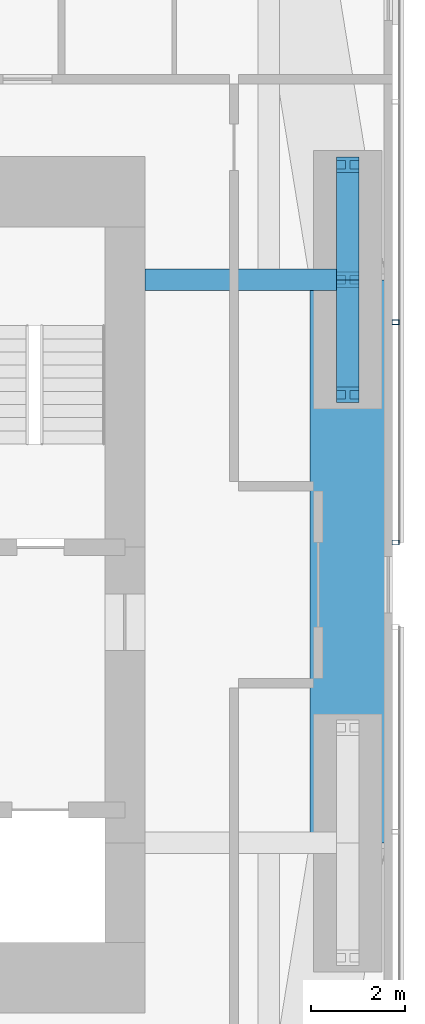
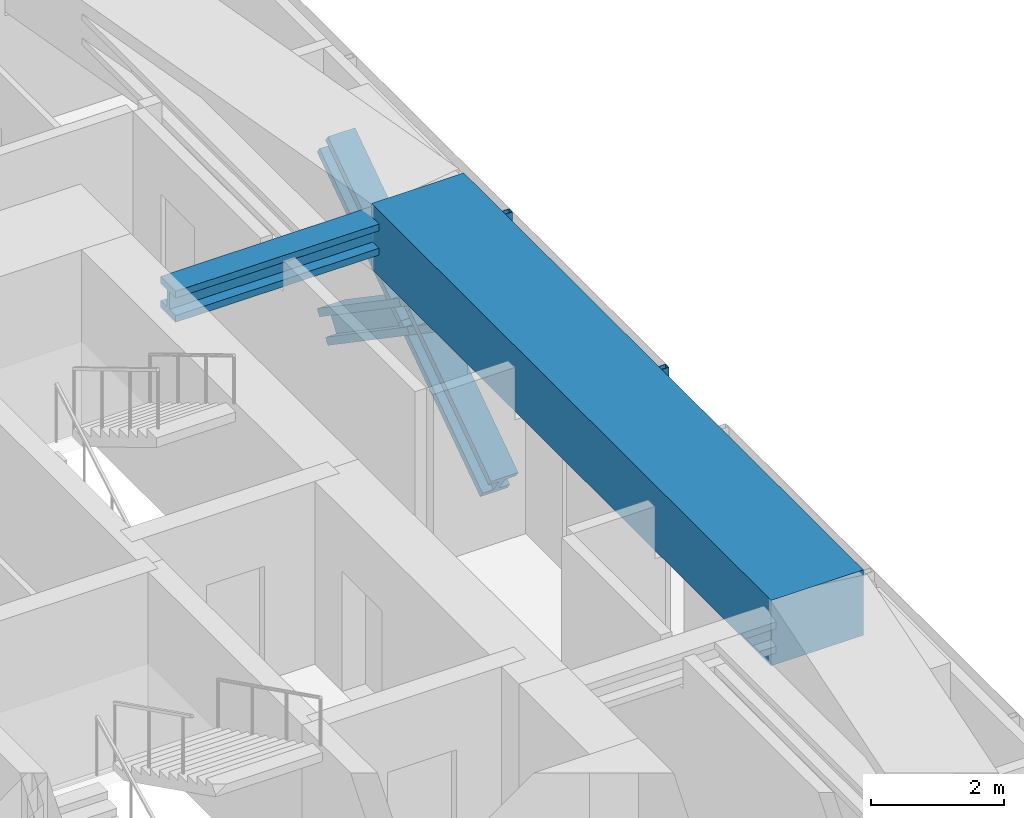
# One storey, part 9 of 23: 6 members, 2 beams, 1 element without a shape of its own.
"""IFC4 building model written with IfcOpenShell, lengths in metres."""

from ifc_helpers import new_model, si_unit, direction, frame, origin, origin_2d, place, context, subcontext, project, spatial, rectangle, hollow_rectangle, i_section, extrude, material, material_profile, profile_set, type_object, element, aggregate, save


model = new_model("IFC4")

# Units and contexts
model_context = context("Model", 3, precision=1e-05, world=origin(), true_north=direction((0.0, 1.0)))
body_context = subcontext(model_context, "Body", "Model", "MODEL_VIEW")
ifc_project = project(units=[si_unit("LENGTHUNIT", "METRE"), si_unit("AREAUNIT", "SQUARE_METRE"), si_unit("VOLUMEUNIT", "CUBIC_METRE"), si_unit("PLANEANGLEUNIT", "RADIAN"), si_unit("MASSUNIT", "GRAM", prefix="KILO")], contexts=[model_context])

# Site, building, storey
site_placement = place(None, origin())
site = spatial("IfcSite", under=ifc_project, at=site_placement, CompositionType="ELEMENT")
building_placement = place(site_placement, origin())
building = spatial("IfcBuilding", under=site, at=building_placement, Name="Jalousie Tower", CompositionType="ELEMENT")
storey_placement = place(building_placement, frame((0.0, 0.0, 121.60009765625)))
storey = spatial("IfcBuildingStorey", under=building, at=storey_placement, Name="L33", CompositionType="ELEMENT", Elevation=121.60009765625)

# Beam
ifc_material_1 = material(Name="Steel ASTM A992 Grade 50", Category="steel")
ifc_material_profile_1 = material_profile(ifc_material_1, i_section(OverallWidth=0.45458984375, OverallDepth=0.569091796875, WebThickness=0.077880859375, FlangeThickness=0.124755859375, at=origin_2d()), Name="W14X730")
ifc_profile_set_1 = profile_set([ifc_material_profile_1], Name="Steel ASTM A992 Grade 50")
beam_type_1 = type_object("IfcBeamType", Name="LEAN COLLECTOR W14X730", PredefinedType="BEAM", material=ifc_profile_set_1)
beam_1_placement = place(storey_placement, frame((48.550048828125, 25.0, 2.825439453125), z_axis=(-1.0, 0.0, 0.0), x_axis=(0.0, -1.0, 0.0)))
element("IfcBeam", 1, at=beam_1_placement, inside=storey, type_object=beam_type_1, Name="Lean collector under L34", PredefinedType="BEAM", context=body_context, shape_type="SweptSolid", body=[
    extrude(i_section(OverallWidth=0.45458984375, OverallDepth=0.569091796875, WebThickness=0.077880859375, FlangeThickness=0.124755859375, at=origin_2d()), origin(), (0.0, 0.0, 1.0), 4.324951171875),
])

# Members
ifc_material_2 = material(Name="Steel ASTM A992 Grade 50", Category="steel")
ifc_material_profile_2 = material_profile(ifc_material_2, i_section(OverallWidth=0.472412109375, OverallDepth=0.5791015625, WebThickness=0.094970703125, FlangeThickness=0.1298828125, at=origin_2d()), Name="W14X808")
ifc_profile_set_2 = profile_set([ifc_material_profile_2], Name="Steel ASTM A992 Grade 50")
member_type_1 = type_object("IfcMemberType", Name="PERIMETER BRACE W14X808", PredefinedType="BRACE", material=ifc_profile_set_2)
for number, where, z_axis, x_axis, name in (
    (2, (48.550048828125, 22.550048828125, -0.60009765625), (0.0, 0.825500916831, 0.564400776321), (-1.0, 0.0, 0.0), "Perimeter brace 07 L33 part 1"),
    (3, (48.550048828125, 25.0, 1.074951171875), (0.0, 0.825500916831, 0.564400776321), (-1.0, 0.0, 0.0), "Perimeter brace 07 L33 part 2"),
    (4, (48.550048828125, 27.449951171875, -0.60009765625), (0.0, -0.825500916831, 0.564400776321), (1.0, 0.0, 0.0), "Perimeter brace 07 L33 part 3"),
    (5, (48.550048828125, 25.0, 1.074951171875), (0.0, -0.825500916831, 0.564400776321), (1.0, 0.0, 0.0), "Perimeter brace 07 L33 part 4"),
):
    element("IfcMember", number, at=place(storey_placement, frame(where, z_axis=z_axis, x_axis=x_axis)), inside=storey, type_object=member_type_1, Name=name, PredefinedType="BRACE", context=body_context, shape_type="SweptSolid", body=[
        extrude(i_section(OverallWidth=0.472412109375, OverallDepth=0.5791015625, WebThickness=0.094970703125, FlangeThickness=0.1298828125, at=origin_2d()), origin(), (0.0, 0.0, 1.0), 2.9677734375),
    ])

# Beam
ifc_material_3 = material(Name="Concrete f'c 40 MPa", Category="concrete")
ifc_material_profile_3 = material_profile(ifc_material_3, rectangle(XDim=1.60009765625, YDim=1.199951171875, at=origin_2d()), Name="RC 1600x1200")
ifc_profile_set_3 = profile_set([ifc_material_profile_3], Name="Concrete f'c 40 MPa")
beam_type_2 = type_object("IfcBeamType", Name="RC BEAM 1600x1200", PredefinedType="BEAM", material=ifc_profile_set_3)
beam_2_placement = place(storey_placement, frame((48.550048828125, 13.0, 2.75), z_axis=(0.0, 1.0, 0.0), x_axis=(-1.0, 0.0, 0.0)))
element("IfcBeam", 6, at=beam_2_placement, inside=storey, type_object=beam_type_2, Name="Edge band beam 06-07 under L34", PredefinedType="BEAM", context=body_context, shape_type="SweptSolid", body=[
    extrude(rectangle(XDim=1.60009765625, YDim=1.199951171875, at=origin_2d()), origin(), (0.0, 0.0, 1.0), 12.0),
])

# Curtain wall, members
ifc_material_4 = material(Name="Perforated aluminium sheet", Category="aluminium")
curtain_wall_type = type_object("IfcCurtainWallType", Name="SOLAR SCREEN SS-1", PredefinedType="USERDEFINED", material=ifc_material_4)
curtain_wall_placement = place(storey_placement, origin())
curtain_wall = element("IfcCurtainWall", 7, at=curtain_wall_placement, inside=storey, type_object=curtain_wall_type, Name="Solar screen L33", ObjectType="SOLAR SCREEN SS-1", PredefinedType="USERDEFINED")
ifc_material_5 = material(Name="Steel ASTM A500 Grade C", Category="steel")
ifc_material_profile_4 = material_profile(ifc_material_5, hollow_rectangle(XDim=0.1015625, YDim=0.15234375, WallThickness=0.00634765625, at=origin_2d()), Name="HSS6X4X1/4")
ifc_profile_set_4 = profile_set([ifc_material_profile_4], Name="Steel ASTM A500 Grade C")
member_type_2 = type_object("IfcMemberType", Name="SOLAR SCREEN SS-1 MULLION", PredefinedType="MULLION", material=ifc_profile_set_4)
member_1_placement = place(storey_placement, frame((49.5712890625, 19.39990234375, -0.1201171875), z_axis=(0.0, 0.0, 1.0), x_axis=(0.0, 1.0, 0.0)))
member_1 = element("IfcMember", 8, at=member_1_placement, type_object=member_type_2, Name="SS1 post 1", PredefinedType="MULLION", context=body_context, shape_type="SweptSolid", body=[
    extrude(hollow_rectangle(XDim=0.1015625, YDim=0.15234375, WallThickness=0.00634765625, at=origin_2d()), origin(), (0.0, 0.0, 1.0), 3.22998046875),
])
member_2_placement = place(storey_placement, frame((49.5712890625, 24.095458984375, -0.1201171875), z_axis=(0.0, 0.0, 1.0), x_axis=(0.0, 1.0, 0.0)))
member_2 = element("IfcMember", 9, at=member_2_placement, type_object=member_type_2, Name="SS1 post 2", PredefinedType="MULLION", context=body_context, shape_type="SweptSolid", body=[
    extrude(hollow_rectangle(XDim=0.1015625, YDim=0.15234375, WallThickness=0.00634765625, at=origin_2d()), origin(), (0.0, 0.0, 1.0), 3.22998046875),
])
aggregate(curtain_wall, [member_1, member_2])

save(model, "model.ifc")
